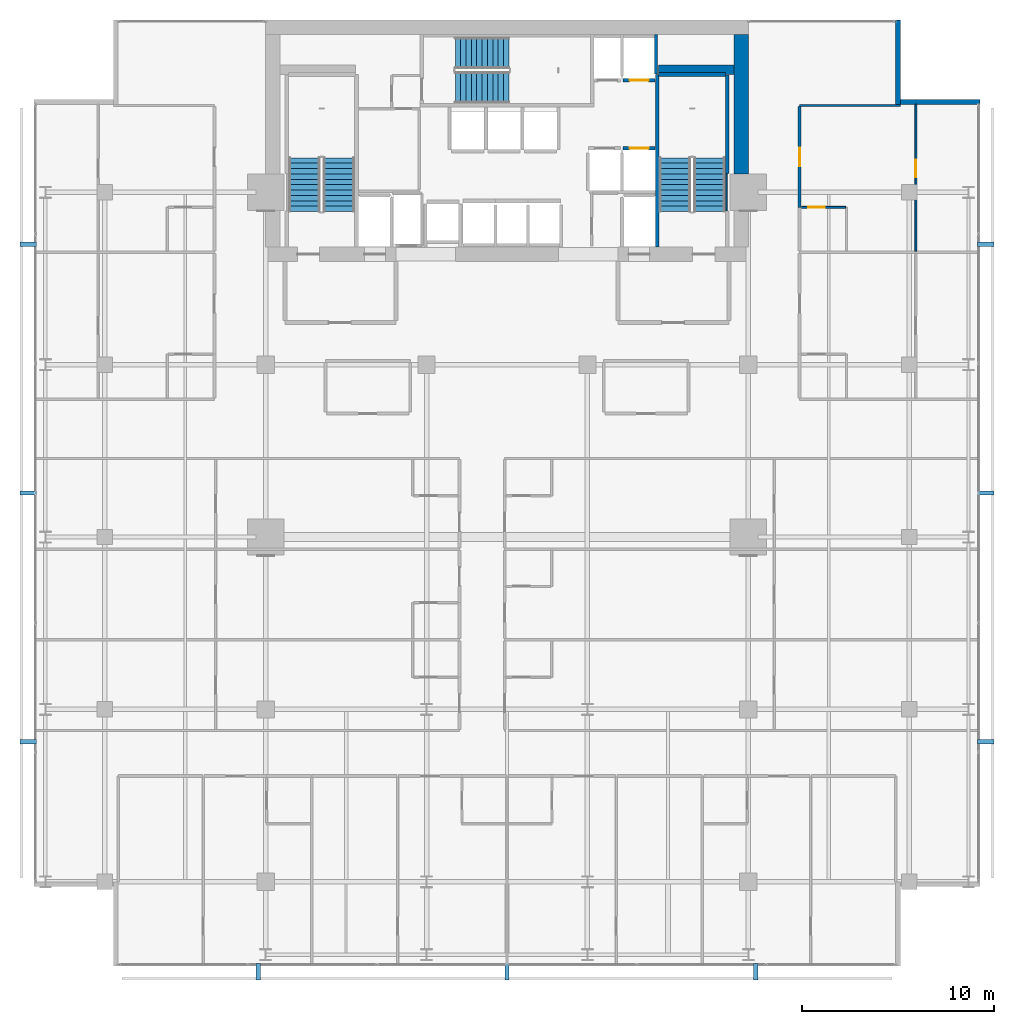
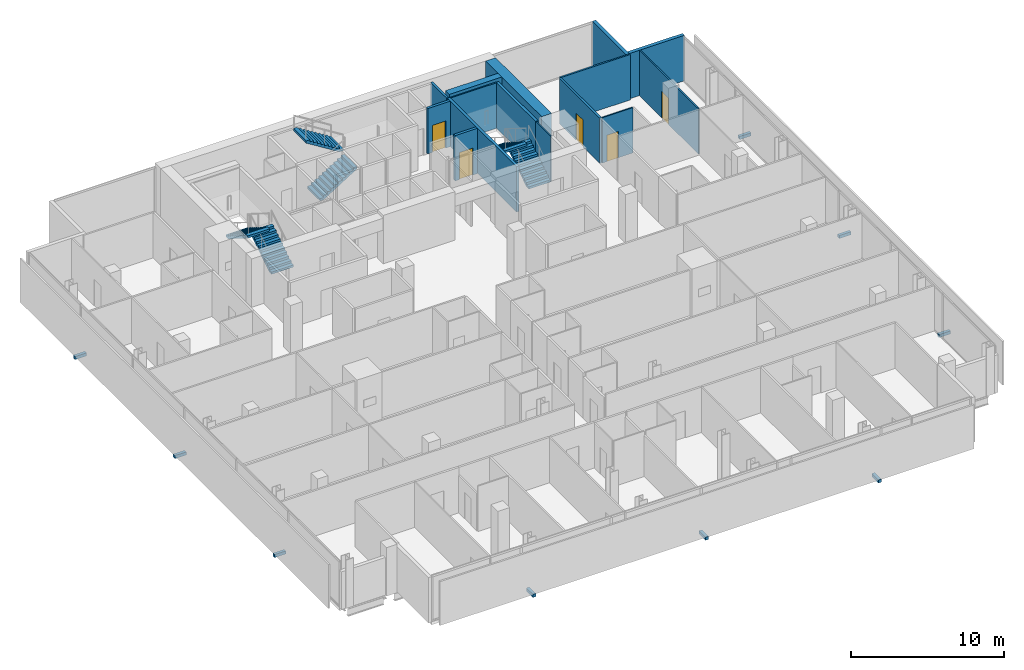
# One storey, part 31 of 33: 15 walls, 9 discrete accessories, 6 stair flights, 5 doors, 5 openings, 3 elements without a shape of their own.
"""IFC4 building model written with IfcOpenShell, lengths in metres."""

from ifc_helpers import new_model, si_unit, direction, frame, frame_2d, origin, origin_2d, place, context, subcontext, project, spatial, polyline, rectangle, outline, extrude, material, layer, layer_set, type_object, element, fill, aggregate, save


model = new_model("IFC4")

# Units and contexts
model_context = context("Model", 3, precision=1e-05, world=origin(), true_north=direction((0.0, 1.0)))
body_context = subcontext(model_context, "Body", "Model", "MODEL_VIEW")
ifc_project = project(units=[si_unit("LENGTHUNIT", "METRE"), si_unit("AREAUNIT", "SQUARE_METRE"), si_unit("VOLUMEUNIT", "CUBIC_METRE"), si_unit("PLANEANGLEUNIT", "RADIAN"), si_unit("MASSUNIT", "GRAM", prefix="KILO")], contexts=[model_context])

# Site, building, storey
site_placement = place(None, origin())
site = spatial("IfcSite", under=ifc_project, at=site_placement, CompositionType="ELEMENT")
building_placement = place(site_placement, origin())
building = spatial("IfcBuilding", under=site, at=building_placement, Name="Maruvema Waterfront Hotel and Observation Tower", CompositionType="ELEMENT")
storey_placement = place(building_placement, frame((0.0, 0.0, 142.800048828125)))
storey = spatial("IfcBuildingStorey", under=building, at=storey_placement, Name="L34", CompositionType="ELEMENT", Elevation=142.800048828125)

# Wall, opening, door
ifc_material_1 = material(Name="Twin-stud acoustic gypsum drywall", Category="gypsum")
ifc_layer_1 = layer(ifc_material_1, 0.14990234375, Name="Acoustic Corridor and Suite Demising Wall 150 mm")
ifc_layer_set_1 = layer_set([ifc_layer_1], Name="Twin-stud acoustic gypsum drywall")
wall_type_1 = type_object("IfcWallType", Name="Acoustic Corridor and Suite Demising Wall 150 mm", PredefinedType="PARTITIONING", material=ifc_layer_set_1)
wall_1_placement = place(storey_placement, frame((53.080078125, 44.21875, 0.0), z_axis=(0.0, 0.0, 1.0), x_axis=(0.0, 1.0, 0.0)))
wall_1 = element("IfcWall", 1, at=wall_1_placement, inside=storey, type_object=wall_type_1, Name="L34 Room L34-NE2 Corridor Wall 114", PredefinedType="PARTITIONING", context=body_context, shape_type="SweptSolid", body=[
    extrude(rectangle(XDim=5.2587890625, YDim=0.14990234375, at=frame_2d((2.62939453125, 0.0))), origin(), (0.0, 0.0, 1.0), 3.60986328125),
])
opening_1_placement = place(wall_1_placement, frame((2.154296875, 0.0, 0.0)))
opening_1 = element("IfcOpeningElement", 2, at=opening_1_placement, cuts=wall_1, Name="Opening DR-095", PredefinedType="OPENING", context=body_context, shape_type="SweptSolid", body=[
    extrude(rectangle(XDim=0.949951171875, YDim=2.14990234375, at=frame_2d((0.47509765625, 1.074951171875))), frame((0.0, 0.0849609375, 0.0), z_axis=(0.0, -1.0, 0.0), x_axis=(1.0, 0.0, 0.0)), (0.0, 0.0, 1.0), 0.169921875),
])
ifc_material_2 = material(Name="Acoustic solid-core hardwood timber leaf", Category="wood")
door_type_1 = type_object("IfcDoorType", Name="Guestroom Entrance Fire Door 950x2150 mm", OperationType="NOTDEFINED", PredefinedType="DOOR", material=ifc_material_2)
door_1_placement = place(opening_1_placement, frame((0.949951171875, 0.0, 0.0), z_axis=(0.0, 0.0, 1.0), x_axis=(-1.0, 0.0, 0.0)))
door_1 = element("IfcDoor", 3, at=door_1_placement, inside=storey, type_object=door_type_1, Name="L34 Room L34-NE2 Entrance Door", OperationType="SINGLE_SWING_RIGHT", OverallHeight=2.14990234375, OverallWidth=0.949951171875, PredefinedType="DOOR", context=body_context, shape_type="SweptSolid", body=[
    extrude(rectangle(XDim=0.949951171875, YDim=2.14990234375, at=frame_2d((0.47509765625, 1.074951171875))), frame((0.0, 0.02490234375, 0.0), z_axis=(0.0, -1.0, 0.0), x_axis=(1.0, 0.0, 0.0)), (0.0, 0.0, 1.0), 0.050048828125),
])
fill(opening_1, door_1)

# Walls
ifc_material_3 = material(Name="Precast concrete C45/55", Category="concrete")
ifc_layer_2 = layer(ifc_material_3, 0.199951171875, Name="Core Shaft and Stairwell Enclosure Wall 200 mm")
ifc_layer_set_2 = layer_set([ifc_layer_2], Name="Precast concrete C45/55")
wall_type_2 = type_object("IfcWallType", Name="Core Shaft and Stairwell Enclosure Wall 200 mm", PredefinedType="SOLIDWALL", material=ifc_layer_set_2)
wall_2_placement = place(storey_placement, frame((45.64990234375, 42.14990234375, 0.0), z_axis=(0.0, 0.0, 1.0), x_axis=(0.0, 1.0, 0.0)))
element("IfcWall", 4, at=wall_2_placement, inside=storey, type_object=wall_type_2, Name="L34 Stairwell ST-03 West Shaft Wall", PredefinedType="SOLIDWALL", context=body_context, shape_type="SweptSolid", body=[
    extrude(rectangle(XDim=9.0, YDim=0.199951171875, at=frame_2d((4.5, 0.0))), origin(), (0.0, 0.0, 1.0), 3.60986328125),
])
wall_3_placement = place(storey_placement, frame((49.300048828125, 45.97998046875, 0.0), z_axis=(0.0, 0.0, 1.0), x_axis=(0.0, 1.0, 0.0)))
element("IfcWall", 5, at=wall_3_placement, inside=storey, type_object=wall_type_2, Name="L34 Stairwell ST-03 Shaft Lining Wall", PredefinedType="SOLIDWALL", context=body_context, shape_type="SweptSolid", body=[
    extrude(rectangle(XDim=5.14013671875, YDim=0.199951171875, at=frame_2d((2.570068359375, 0.0))), origin(), (0.0, 0.0, 1.0), 3.60986328125),
])
wall_4_placement = place(storey_placement, frame((45.719970703125, 51.14990234375, 0.0), z_axis=(0.0, 0.0, 1.0), x_axis=(1.0, 0.0, 0.0)))
element("IfcWall", 6, at=wall_4_placement, inside=storey, type_object=wall_type_2, Name="L34 Stairwell ST-03 Shaft Lining Wall", PredefinedType="SOLIDWALL", context=body_context, shape_type="SweptSolid", body=[
    extrude(rectangle(XDim=3.5, YDim=0.199951171875, at=frame_2d((1.75, 0.0))), origin(), (0.0, 0.0, 1.0), 3.60986328125),
])

# Wall, opening, door
wall_5_placement = place(storey_placement, frame((43.860107421875, 47.300048828125, 0.0), z_axis=(0.0, 0.0, 1.0), x_axis=(1.0, 0.0, 0.0)))
wall_5 = element("IfcWall", 7, at=wall_5_placement, inside=storey, type_object=wall_type_2, Name="L34 Lift LF-06 Hoistway Front Wall", PredefinedType="SOLIDWALL", context=body_context, shape_type="SweptSolid", body=[
    extrude(rectangle(XDim=1.679931640625, YDim=0.199951171875, at=frame_2d((0.83984375, 0.0))), origin(), (0.0, 0.0, 1.0), 3.60986328125),
])
opening_2_placement = place(wall_5_placement, frame((0.340087890625, 0.0, 0.0)))
opening_2 = element("IfcOpeningElement", 8, at=opening_2_placement, cuts=wall_5, Name="Opening LD-01", PredefinedType="OPENING", context=body_context, shape_type="SweptSolid", body=[
    extrude(rectangle(XDim=1.0, YDim=2.14990234375, at=frame_2d((0.5, 1.074951171875))), frame((0.0, 0.10986328125, 0.0), z_axis=(0.0, -1.0, 0.0), x_axis=(1.0, 0.0, 0.0)), (0.0, 0.0, 1.0), 0.219970703125),
])
ifc_material_4 = material(Name="Brushed stainless steel Grade 316", Category="steel")
door_type_2 = type_object("IfcDoorType", Name="Passenger Lift Sliding Landing Door 1000x2150 mm", OperationType="SLIDING_TO_LEFT", PredefinedType="DOOR", material=ifc_material_4)
door_2_placement = place(opening_2_placement, origin())
door_2 = element("IfcDoor", 9, at=door_2_placement, inside=storey, type_object=door_type_2, Name="L34 Lift LF-06 Sliding Landing Door", OperationType="SLIDING_TO_LEFT", OverallHeight=2.14990234375, OverallWidth=1.0, PredefinedType="DOOR", context=body_context, shape_type="SweptSolid", body=[
    extrude(rectangle(XDim=1.0, YDim=2.14990234375, at=frame_2d((0.5, 1.074951171875))), frame((0.0, 0.02490234375, 0.0), z_axis=(0.0, -1.0, 0.0), x_axis=(1.0, 0.0, 0.0)), (0.0, 0.0, 1.0), 0.050048828125),
])
fill(opening_2, door_2)

wall_6_placement = place(storey_placement, frame((43.860107421875, 50.85009765625, 0.0), z_axis=(0.0, 0.0, 1.0), x_axis=(1.0, 0.0, 0.0)))
wall_6 = element("IfcWall", 10, at=wall_6_placement, inside=storey, type_object=wall_type_2, Name="L34 Lift LF-08 Hoistway Front Wall", PredefinedType="SOLIDWALL", context=body_context, shape_type="SweptSolid", body=[
    extrude(rectangle(XDim=1.679931640625, YDim=0.199951171875, at=frame_2d((0.83984375, 0.0))), origin(), (0.0, 0.0, 1.0), 3.60986328125),
])
opening_3_placement = place(wall_6_placement, frame((0.340087890625, 0.0, 0.0)))
opening_3 = element("IfcOpeningElement", 11, at=opening_3_placement, cuts=wall_6, Name="Opening LD-01", PredefinedType="OPENING", context=body_context, shape_type="SweptSolid", body=[
    extrude(rectangle(XDim=1.0, YDim=2.14990234375, at=frame_2d((0.5, 1.074951171875))), frame((0.0, 0.10986328125, 0.0), z_axis=(0.0, -1.0, 0.0), x_axis=(1.0, 0.0, 0.0)), (0.0, 0.0, 1.0), 0.219970703125),
])
door_3_placement = place(opening_3_placement, frame((1.0, 0.0, 0.0), z_axis=(0.0, 0.0, 1.0), x_axis=(-1.0, 0.0, 0.0)))
door_3 = element("IfcDoor", 12, at=door_3_placement, inside=storey, type_object=door_type_2, Name="L34 Lift LF-08 Sliding Landing Door", OperationType="SLIDING_TO_LEFT", OverallHeight=2.14990234375, OverallWidth=1.0, PredefinedType="DOOR", context=body_context, shape_type="SweptSolid", body=[
    extrude(rectangle(XDim=1.0, YDim=2.14990234375, at=frame_2d((0.5, 1.074951171875))), frame((0.0, 0.02490234375, 0.0), z_axis=(0.0, -1.0, 0.0), x_axis=(1.0, 0.0, 0.0)), (0.0, 0.0, 1.0), 0.050048828125),
])
fill(opening_3, door_3)

# Walls
ifc_material_5 = material(Name="Concrete C70/85", Category="concrete")
ifc_layer_3 = layer(ifc_material_5, 0.5, Name="Core Shear Wall 500 mm")
ifc_layer_set_3 = layer_set([ifc_layer_3], Name="Concrete C70/85")
wall_type_3 = type_object("IfcWallType", Name="Core Shear Wall 500 mm", PredefinedType="SHEAR", material=ifc_layer_set_3)
wall_7_placement = place(storey_placement, frame((45.699951171875, 51.39990234375, 0.0), z_axis=(0.0, 0.0, 1.0), x_axis=(1.0, 0.0, 0.0)))
element("IfcWall", 13, at=wall_7_placement, inside=storey, type_object=wall_type_3, Name="L34 Internal Core Shear Wall NE 500 mm", PredefinedType="SHEAR", context=body_context, shape_type="SweptSolid", body=[
    extrude(rectangle(XDim=3.949951171875, YDim=0.5, at=frame_2d((1.97509765625, 0.0))), origin(), (0.0, 0.0, 1.0), 3.849853515625),
])
ifc_material_6 = material(Name="Concrete C70/85", Category="concrete")
ifc_layer_4 = layer(ifc_material_6, 0.75, Name="Core Shear Wall 750 mm")
ifc_layer_set_4 = layer_set([ifc_layer_4], Name="Concrete C70/85")
wall_type_4 = type_object("IfcWallType", Name="Core Shear Wall 750 mm", PredefinedType="SHEAR", material=ifc_layer_set_4)
wall_8_placement = place(storey_placement, frame((50.02490234375, 45.949951171875, 0.0), z_axis=(0.0, 0.0, 1.0), x_axis=(0.0, 1.0, 0.0)))
element("IfcWall", 14, at=wall_8_placement, inside=storey, type_object=wall_type_4, Name="L34 East-North Core Shear Wall", PredefinedType="SHEAR", context=body_context, shape_type="SweptSolid", body=[
    extrude(rectangle(XDim=7.300048828125, YDim=0.75, at=frame_2d((3.64990234375, 0.0))), origin(), (0.0, 0.0, 1.0), 3.849853515625),
])

# Wall, opening, door
ifc_material_7 = material(Name="Moisture-resistant cement-board drywall", Category="gypsum")
ifc_layer_5 = layer(ifc_material_7, 0.10009765625, Name="En-Suite Moisture-Resistant Partition 100 mm")
ifc_layer_set_5 = layer_set([ifc_layer_5], Name="Moisture-resistant cement-board drywall")
wall_type_5 = type_object("IfcWallType", Name="En-Suite Moisture-Resistant Partition 100 mm", PredefinedType="PARTITIONING", material=ifc_layer_set_5)
wall_9_placement = place(storey_placement, frame((53.179931640625, 44.21875, 0.0), z_axis=(0.0, 0.0, 1.0), x_axis=(1.0, 0.0, 0.0)))
wall_9 = element("IfcWall", 15, at=wall_9_placement, inside=storey, type_object=wall_type_5, Name="L34 En-Suite L34-NE2 N 116", PredefinedType="PARTITIONING", context=body_context, shape_type="SweptSolid", body=[
    extrude(rectangle(XDim=2.300048828125, YDim=0.10009765625, at=frame_2d((1.14990234375, 0.0))), origin(), (0.0, 0.0, 1.0), 3.60986328125),
])
opening_4_placement = place(wall_9_placement, frame((0.35009765625, 0.0, 0.0)))
opening_4 = element("IfcOpeningElement", 16, at=opening_4_placement, cuts=wall_9, Name="Opening DR-085", PredefinedType="OPENING", context=body_context, shape_type="SweptSolid", body=[
    extrude(rectangle(XDim=0.85009765625, YDim=2.10009765625, at=frame_2d((0.425048828125, 1.050048828125))), frame((0.0, 0.06005859375, 0.0), z_axis=(0.0, -1.0, 0.0), x_axis=(1.0, 0.0, 0.0)), (0.0, 0.0, 1.0), 0.1201171875),
])
ifc_material_8 = material(Name="Moisture-resistant solid timber leaf", Category="wood")
door_type_3 = type_object("IfcDoorType", Name="En-Suite Bathroom Door 850x2100 mm", OperationType="NOTDEFINED", PredefinedType="DOOR", material=ifc_material_8)
door_4_placement = place(opening_4_placement, origin())
door_4 = element("IfcDoor", 17, at=door_4_placement, inside=storey, type_object=door_type_3, Name="L34 En-Suite L34-NE2 Door", OperationType="SINGLE_SWING_LEFT", OverallHeight=2.10009765625, OverallWidth=0.85009765625, PredefinedType="DOOR", context=body_context, shape_type="SweptSolid", body=[
    extrude(rectangle(XDim=0.85009765625, YDim=2.10009765625, at=frame_2d((0.425048828125, 1.050048828125))), frame((0.0, 0.02490234375, 0.0), z_axis=(0.0, -1.0, 0.0), x_axis=(1.0, 0.0, 0.0)), (0.0, 0.0, 1.0), 0.050048828125),
])
fill(opening_4, door_4)

wall_10_placement = place(storey_placement, frame((59.154296875, 41.9287109375, 0.0), z_axis=(0.0, 0.0, 1.0), x_axis=(0.0, 1.0, 0.0)))
wall_10 = element("IfcWall", 18, at=wall_10_placement, inside=storey, type_object=wall_type_5, Name="L34 Suite L34-NE2 Split 117", PredefinedType="PARTITIONING", context=body_context, shape_type="SweptSolid", body=[
    extrude(rectangle(XDim=7.668701171875, YDim=0.10009765625, at=frame_2d((3.83447265625, 0.0))), origin(), (0.0, 0.0, 1.0), 3.60986328125),
])
opening_5_placement = place(wall_10_placement, frame((3.8642578125, 0.0, 0.0)))
opening_5 = element("IfcOpeningElement", 19, at=opening_5_placement, cuts=wall_10, Name="Opening DR-090", PredefinedType="OPENING", context=body_context, shape_type="SweptSolid", body=[
    extrude(rectangle(XDim=0.89990234375, YDim=2.10009765625, at=frame_2d((0.449951171875, 1.050048828125))), frame((0.0, 0.06005859375, 0.0), z_axis=(0.0, -1.0, 0.0), x_axis=(1.0, 0.0, 0.0)), (0.0, 0.0, 1.0), 0.1201171875),
])
ifc_material_9 = material(Name="Solid-core lacquered timber leaf", Category="wood")
door_type_4 = type_object("IfcDoorType", Name="Accessible Toilet and Room Door 900x2100 mm", OperationType="NOTDEFINED", PredefinedType="DOOR", material=ifc_material_9)
door_5_placement = place(opening_5_placement, frame((0.89990234375, 0.0, 0.0), z_axis=(0.0, 0.0, 1.0), x_axis=(-1.0, 0.0, 0.0)))
door_5 = element("IfcDoor", 20, at=door_5_placement, inside=storey, type_object=door_type_4, Name="L34 Suite L34-NE2 Bedroom Door", OperationType="SINGLE_SWING_LEFT", OverallHeight=2.10009765625, OverallWidth=0.89990234375, PredefinedType="DOOR", context=body_context, shape_type="SweptSolid", body=[
    extrude(rectangle(XDim=0.89990234375, YDim=2.10009765625, at=frame_2d((0.449951171875, 1.050048828125))), frame((0.0, 0.02490234375, 0.0), z_axis=(0.0, -1.0, 0.0), x_axis=(1.0, 0.0, 0.0)), (0.0, 0.0, 1.0), 0.050048828125),
])
fill(opening_5, door_5)

# Walls
ifc_material_10 = material(Name="Precast concrete C45/55 with honed Pernambuco granite facing", Category="masonry")
ifc_layer_6 = layer(ifc_material_10, 0.260009765625, Name="Exterior Granite Clad Spandrel and Pier Wall 260 mm")
ifc_layer_set_6 = layer_set([ifc_layer_6], Name="Precast concrete C45/55 with honed Pernambuco granite facing")
wall_type_6 = type_object("IfcWallType", Name="Exterior Granite Clad Spandrel and Pier Wall 260 mm", PredefinedType="SOLIDWALL", material=ifc_layer_set_6)
for number, where, z_axis, x_axis, name in (
    (21, (58.22998046875, 54.0, 0.0), (0.0, 0.0, 1.0), (0.0, -1.0, 0.0), "L34 Corner Notch Granite Pier Wall NE1"),
    (22, (58.10009765625, 49.72998046875, 0.0), (0.0, 0.0, 1.0), (1.0, 0.0, 0.0), "L34 Corner Notch Granite Pier Wall NE2"),
):
    element("IfcWall", number, at=place(storey_placement, frame(where, z_axis=z_axis, x_axis=x_axis)), inside=storey, type_object=wall_type_6, Name=name, PredefinedType="SOLIDWALL", context=body_context, shape_type="SweptSolid", body=[
        extrude(rectangle(XDim=4.39990234375, YDim=0.260009765625, at=frame_2d((2.199951171875, 0.0))), origin(), (0.0, 0.0, 1.0), 3.60986328125),
    ])
ifc_material_11 = material(Name="Acoustic gypsum plasterboard drywall", Category="gypsum")
ifc_layer_7 = layer(ifc_material_11, 0.125, Name="Guestroom Acoustic Demising Wall 125 mm")
ifc_layer_set_7 = layer_set([ifc_layer_7], Name="Acoustic gypsum plasterboard drywall")
wall_type_7 = type_object("IfcWallType", Name="Guestroom Acoustic Demising Wall 125 mm", PredefinedType="PARTITIONING", material=ifc_layer_set_7)
wall_11_placement = place(storey_placement, frame((53.080078125, 49.53759765625, 0.0), z_axis=(0.0, 0.0, 1.0), x_axis=(1.0, 0.0, 0.0)))
element("IfcWall", 23, at=wall_11_placement, inside=storey, type_object=wall_type_7, Name="L34 Z2 NE Top End 095", PredefinedType="PARTITIONING", context=body_context, shape_type="SweptSolid", body=[
    extrude(rectangle(XDim=5.280029296875, YDim=0.125, at=frame_2d((2.64013671875, 0.0))), origin(), (0.0, 0.0, 1.0), 3.60986328125),
])
ifc_material_12 = material(Name="Precast concrete C45/55", Category="concrete")
ifc_layer_8 = layer(ifc_material_12, 0.159912109375, Name="Lift Hoistway Divider Wall 160 mm")
ifc_layer_set_8 = layer_set([ifc_layer_8], Name="Precast concrete C45/55")
wall_type_8 = type_object("IfcWallType", Name="Lift Hoistway Divider Wall 160 mm", PredefinedType="SOLIDWALL", material=ifc_layer_set_8)
wall_12_placement = place(storey_placement, frame((45.590087890625, 51.179931640625, 0.0), z_axis=(0.0, 0.0, 1.0), x_axis=(0.0, 1.0, 0.0)))
element("IfcWall", 24, at=wall_12_placement, inside=storey, type_object=wall_type_8, Name="L34 Hoistway Divider Wall", PredefinedType="SOLIDWALL", context=body_context, shape_type="SweptSolid", body=[
    extrude(rectangle(XDim=2.070068359375, YDim=0.159912109375, at=frame_2d((1.03515625, 0.0))), origin(), (0.0, 0.0, 1.0), 3.60986328125),
])
ifc_material_13 = material(Name="Precast concrete C45/55", Category="concrete")
ifc_layer_9 = layer(ifc_material_13, 0.10009765625, Name="Stairwell Stringer Cheek Wall 100 mm")
ifc_layer_set_9 = layer_set([ifc_layer_9], Name="Precast concrete C45/55")
wall_type_9 = type_object("IfcWallType", Name="Stairwell Stringer Cheek Wall 100 mm", PredefinedType="SOLIDWALL", material=ifc_layer_set_9)
wall_13_placement = place(storey_placement, frame((49.248046875, 44.0400390625, 0.0), z_axis=(0.0, 0.0, 1.0), x_axis=(0.0, 1.0, 0.0)))
element("IfcWall", 25, at=wall_13_placement, inside=storey, type_object=wall_type_9, Name="L34 Stairwell ST-03 Mega-Column Cheek Wall", PredefinedType="SOLIDWALL", context=body_context, shape_type="SweptSolid", body=[
    extrude(rectangle(XDim=1.919921875, YDim=0.10009765625, at=frame_2d((0.9599609375, 0.0))), origin(), (0.0, 0.0, 1.0), 3.60986328125),
])

# Stair, stair flights
ifc_material_14 = material(Name="Concrete C50/60", Category="concrete")
stair_type = type_object("IfcStairType", Name="Dogleg Exit Stair 1650 mm (22R x 175.0 mm)", PredefinedType="HALF_TURN_STAIR", material=ifc_material_14)
stair_1_placement = place(storey_placement, origin())
stair_1 = element("IfcStair", 26, at=stair_1_placement, inside=storey, type_object=stair_type, Name="L34 ST-01", PredefinedType="HALF_TURN_STAIR")
ifc_material_15 = material(Name="Concrete C50/60", Category="concrete")
stair_flight_type = type_object("IfcStairFlightType", Name="Reinforced Concrete Stair Flight 1650 mm (11R x 175.0 mm)", PredefinedType="STRAIGHT", material=ifc_material_15)
stair_flight_1_placement = place(storey_placement, frame((29.02490234375, 44.0, 0.0), z_axis=(0.0, 0.0, 1.0), x_axis=(0.0, 1.0, 0.0)))
stair_flight_1 = element("IfcStairFlight", 27, at=stair_flight_1_placement, type_object=stair_flight_type, Name="ST-01 flight 1", NumberOfRisers=11, NumberOfTreads=10, PredefinedType="STRAIGHT", RiserHeight=0.175, TreadLength=0.28, context=body_context, shape_type="SweptSolid", body=[
    extrude(outline(polyline([(0.0, 0.0), (0.0, 0.175048828125), (0.280029296875, 0.175048828125), (0.280029296875, 0.35009765625), (0.56005859375, 0.35009765625), (0.56005859375, 0.52490234375), (0.840087890625, 0.52490234375), (0.840087890625, 0.699951171875), (1.1201171875, 0.699951171875), (1.1201171875, 0.875), (1.39990234375, 0.875), (1.39990234375, 1.050048828125), (1.679931640625, 1.050048828125), (1.679931640625, 1.22509765625), (1.9599609375, 1.22509765625), (1.9599609375, 1.39990234375), (2.239990234375, 1.39990234375), (2.239990234375, 1.574951171875), (2.52001953125, 1.574951171875), (2.52001953125, 1.75), (2.800048828125, 1.75), (2.800048828125, 1.925048828125), (2.800048828125, 1.5732421875), (0.28271484375, 0.0), (0.0, 0.0)])), frame((0.0, 0.824951171875, 0.0), z_axis=(0.0, -1.0, 0.0), x_axis=(1.0, 0.0, 0.0)), (0.0, 0.0, 1.0), 1.64990234375),
])
stair_flight_2_placement = place(storey_placement, frame((27.22509765625, 46.800048828125, 1.925048828125), z_axis=(0.0, 0.0, 1.0), x_axis=(0.0, -1.0, 0.0)))
stair_flight_2 = element("IfcStairFlight", 28, at=stair_flight_2_placement, type_object=stair_flight_type, Name="ST-01 flight 2", NumberOfRisers=11, NumberOfTreads=10, PredefinedType="STRAIGHT", RiserHeight=0.175, TreadLength=0.28, context=body_context, shape_type="SweptSolid", body=[
    extrude(outline(polyline([(0.0, 0.0), (0.0, 0.175048828125), (0.280029296875, 0.175048828125), (0.280029296875, 0.35009765625), (0.56005859375, 0.35009765625), (0.56005859375, 0.52490234375), (0.840087890625, 0.52490234375), (0.840087890625, 0.699951171875), (1.1201171875, 0.699951171875), (1.1201171875, 0.875), (1.39990234375, 0.875), (1.39990234375, 1.050048828125), (1.679931640625, 1.050048828125), (1.679931640625, 1.22509765625), (1.9599609375, 1.22509765625), (1.9599609375, 1.39990234375), (2.239990234375, 1.39990234375), (2.239990234375, 1.574951171875), (2.52001953125, 1.574951171875), (2.52001953125, 1.75), (2.800048828125, 1.75), (2.800048828125, 1.925048828125), (2.800048828125, 1.5732421875), (0.28271484375, 0.0), (0.0, 0.0)])), frame((0.0, 0.824951171875, 0.0), z_axis=(0.0, -1.0, 0.0), x_axis=(1.0, 0.0, 0.0)), (0.0, 0.0, 1.0), 1.64990234375),
])
aggregate(stair_1, [stair_flight_1, stair_flight_2])

stair_2_placement = place(storey_placement, origin())
stair_2 = element("IfcStair", 29, at=stair_2_placement, inside=storey, type_object=stair_type, Name="L34 ST-02", PredefinedType="HALF_TURN_STAIR")
stair_flight_3_placement = place(storey_placement, frame((35.10009765625, 50.47509765625, 0.0), z_axis=(0.0, 0.0, 1.0), x_axis=(1.0, 0.0, 0.0)))
stair_flight_3 = element("IfcStairFlight", 30, at=stair_flight_3_placement, type_object=stair_flight_type, Name="ST-02 flight 1", NumberOfRisers=11, NumberOfTreads=10, PredefinedType="STRAIGHT", RiserHeight=0.175, TreadLength=0.28, context=body_context, shape_type="SweptSolid", body=[
    extrude(outline(polyline([(0.0, 0.0), (0.0, 0.175048828125), (0.280029296875, 0.175048828125), (0.280029296875, 0.35009765625), (0.56005859375, 0.35009765625), (0.56005859375, 0.52490234375), (0.840087890625, 0.52490234375), (0.840087890625, 0.699951171875), (1.1201171875, 0.699951171875), (1.1201171875, 0.875), (1.39990234375, 0.875), (1.39990234375, 1.050048828125), (1.679931640625, 1.050048828125), (1.679931640625, 1.22509765625), (1.9599609375, 1.22509765625), (1.9599609375, 1.39990234375), (2.239990234375, 1.39990234375), (2.239990234375, 1.574951171875), (2.52001953125, 1.574951171875), (2.52001953125, 1.75), (2.800048828125, 1.75), (2.800048828125, 1.925048828125), (2.800048828125, 1.5732421875), (0.28271484375, 0.0), (0.0, 0.0)])), frame((0.0, 0.824951171875, 0.0), z_axis=(0.0, -1.0, 0.0), x_axis=(1.0, 0.0, 0.0)), (0.0, 0.0, 1.0), 1.64990234375),
])
stair_flight_4_placement = place(storey_placement, frame((37.89990234375, 52.27490234375, 1.925048828125), z_axis=(0.0, 0.0, 1.0), x_axis=(-1.0, 0.0, 0.0)))
stair_flight_4 = element("IfcStairFlight", 31, at=stair_flight_4_placement, type_object=stair_flight_type, Name="ST-02 flight 2", NumberOfRisers=11, NumberOfTreads=10, PredefinedType="STRAIGHT", RiserHeight=0.175, TreadLength=0.28, context=body_context, shape_type="SweptSolid", body=[
    extrude(outline(polyline([(0.0, 0.0), (0.0, 0.175048828125), (0.280029296875, 0.175048828125), (0.280029296875, 0.35009765625), (0.56005859375, 0.35009765625), (0.56005859375, 0.52490234375), (0.840087890625, 0.52490234375), (0.840087890625, 0.699951171875), (1.1201171875, 0.699951171875), (1.1201171875, 0.875), (1.39990234375, 0.875), (1.39990234375, 1.050048828125), (1.679931640625, 1.050048828125), (1.679931640625, 1.22509765625), (1.9599609375, 1.22509765625), (1.9599609375, 1.39990234375), (2.239990234375, 1.39990234375), (2.239990234375, 1.574951171875), (2.52001953125, 1.574951171875), (2.52001953125, 1.75), (2.800048828125, 1.75), (2.800048828125, 1.925048828125), (2.800048828125, 1.5732421875), (0.28271484375, 0.0), (0.0, 0.0)])), frame((0.0, 0.824951171875, 0.0), z_axis=(0.0, -1.0, 0.0), x_axis=(1.0, 0.0, 0.0)), (0.0, 0.0, 1.0), 1.64990234375),
])
aggregate(stair_2, [stair_flight_3, stair_flight_4])

stair_3_placement = place(storey_placement, origin())
stair_3 = element("IfcStair", 32, at=stair_3_placement, inside=storey, type_object=stair_type, Name="L34 ST-03", PredefinedType="HALF_TURN_STAIR")
stair_flight_5_placement = place(storey_placement, frame((48.375, 44.0, 0.0), z_axis=(0.0, 0.0, 1.0), x_axis=(0.0, 1.0, 0.0)))
stair_flight_5 = element("IfcStairFlight", 33, at=stair_flight_5_placement, type_object=stair_flight_type, Name="ST-03 flight 1", NumberOfRisers=11, NumberOfTreads=10, PredefinedType="STRAIGHT", RiserHeight=0.175, TreadLength=0.28, context=body_context, shape_type="SweptSolid", body=[
    extrude(outline(polyline([(0.0, 0.0), (0.0, 0.175048828125), (0.280029296875, 0.175048828125), (0.280029296875, 0.35009765625), (0.56005859375, 0.35009765625), (0.56005859375, 0.52490234375), (0.840087890625, 0.52490234375), (0.840087890625, 0.699951171875), (1.1201171875, 0.699951171875), (1.1201171875, 0.875), (1.39990234375, 0.875), (1.39990234375, 1.050048828125), (1.679931640625, 1.050048828125), (1.679931640625, 1.22509765625), (1.9599609375, 1.22509765625), (1.9599609375, 1.39990234375), (2.239990234375, 1.39990234375), (2.239990234375, 1.574951171875), (2.52001953125, 1.574951171875), (2.52001953125, 1.75), (2.800048828125, 1.75), (2.800048828125, 1.925048828125), (2.800048828125, 1.5732421875), (0.28271484375, 0.0), (0.0, 0.0)])), frame((0.0, 0.824951171875, 0.0), z_axis=(0.0, -1.0, 0.0), x_axis=(1.0, 0.0, 0.0)), (0.0, 0.0, 1.0), 1.64990234375),
])
stair_flight_6_placement = place(storey_placement, frame((46.574951171875, 46.800048828125, 1.925048828125), z_axis=(0.0, 0.0, 1.0), x_axis=(0.0, -1.0, 0.0)))
stair_flight_6 = element("IfcStairFlight", 34, at=stair_flight_6_placement, type_object=stair_flight_type, Name="ST-03 flight 2", NumberOfRisers=11, NumberOfTreads=10, PredefinedType="STRAIGHT", RiserHeight=0.175, TreadLength=0.28, context=body_context, shape_type="SweptSolid", body=[
    extrude(outline(polyline([(0.0, 0.0), (0.0, 0.175048828125), (0.280029296875, 0.175048828125), (0.280029296875, 0.35009765625), (0.56005859375, 0.35009765625), (0.56005859375, 0.52490234375), (0.840087890625, 0.52490234375), (0.840087890625, 0.699951171875), (1.1201171875, 0.699951171875), (1.1201171875, 0.875), (1.39990234375, 0.875), (1.39990234375, 1.050048828125), (1.679931640625, 1.050048828125), (1.679931640625, 1.22509765625), (1.9599609375, 1.22509765625), (1.9599609375, 1.39990234375), (2.239990234375, 1.39990234375), (2.239990234375, 1.574951171875), (2.52001953125, 1.574951171875), (2.52001953125, 1.75), (2.800048828125, 1.75), (2.800048828125, 1.925048828125), (2.800048828125, 1.5732421875), (0.28271484375, 0.0), (0.0, 0.0)])), frame((0.0, 0.824951171875, 0.0), z_axis=(0.0, -1.0, 0.0), x_axis=(1.0, 0.0, 0.0)), (0.0, 0.0, 1.0), 1.64990234375),
])
aggregate(stair_3, [stair_flight_5, stair_flight_6])

# Discrete accessories
ifc_material_16 = material(Name="Duplex stainless steel Grade 2205", Category="steel")
discrete_accessory_type = type_object("IfcDiscreteAccessoryType", Name="Double-Skin Cavity Stainless Outrigger Bracket", PredefinedType="BRACKET", material=ifc_material_16)
for number, where, z_axis, x_axis, name in (
    (35, (24.80810546875, 4.300048828125, -0.14013671875), (0.0, 0.0, 1.0), (1.0, 0.0, 0.0), "L34 Outer Skin Support Bracket 1"),
    (36, (37.800048828125, 4.300048828125, -0.14013671875), (0.0, 0.0, 1.0), (1.0, 0.0, 0.0), "L34 Outer Skin Support Bracket 2"),
    (37, (50.7919921875, 4.300048828125, -0.14013671875), (0.0, 0.0, 1.0), (1.0, 0.0, 0.0), "L34 Outer Skin Support Bracket 3"),
    (38, (62.800048828125, 16.30810546875, -0.14013671875), (0.0, 0.0, 1.0), (0.0, 1.0, 0.0), "L34 Outer Skin Support Bracket 1"),
    (39, (62.800048828125, 29.300048828125, -0.14013671875), (0.0, 0.0, 1.0), (0.0, 1.0, 0.0), "L34 Outer Skin Support Bracket 2"),
    (40, (62.800048828125, 42.2919921875, -0.14013671875), (0.0, 0.0, 1.0), (0.0, 1.0, 0.0), "L34 Outer Skin Support Bracket 3"),
    (41, (12.800048828125, 42.2919921875, -0.14013671875), (0.0, 0.0, 1.0), (0.0, -1.0, 0.0), "L34 Outer Skin Support Bracket 1"),
    (42, (12.800048828125, 29.300048828125, -0.14013671875), (0.0, 0.0, 1.0), (0.0, -1.0, 0.0), "L34 Outer Skin Support Bracket 2"),
    (43, (12.800048828125, 16.30810546875, -0.14013671875), (0.0, 0.0, 1.0), (0.0, -1.0, 0.0), "L34 Outer Skin Support Bracket 3"),
):
    element("IfcDiscreteAccessory", number, at=place(storey_placement, frame(where, z_axis=z_axis, x_axis=x_axis)), inside=storey, type_object=discrete_accessory_type, Name=name, PredefinedType="BRACKET", context=body_context, shape_type="SweptSolid", body=[
        extrude(rectangle(XDim=0.219970703125, YDim=0.860107421875, at=origin_2d()), origin(), (0.0, 0.0, 1.0), 0.239990234375),
    ])

save(model, "model.ifc")
